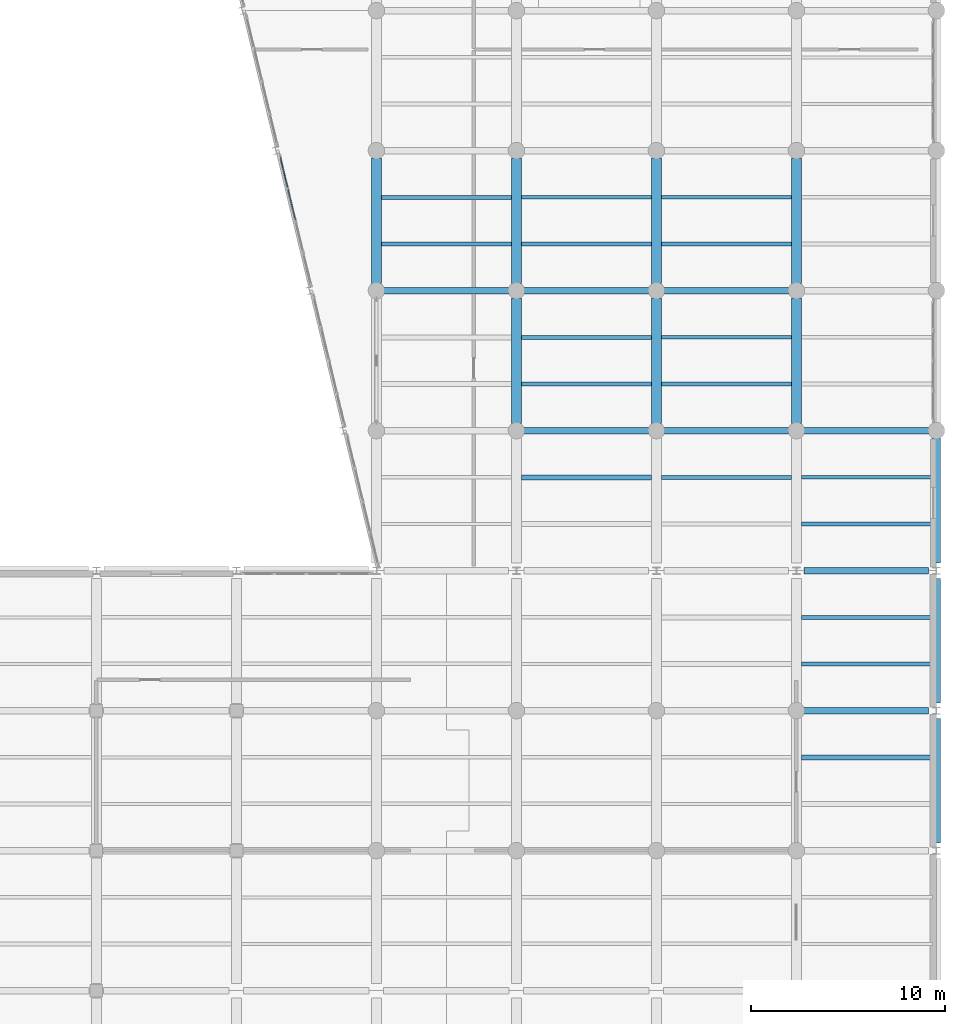
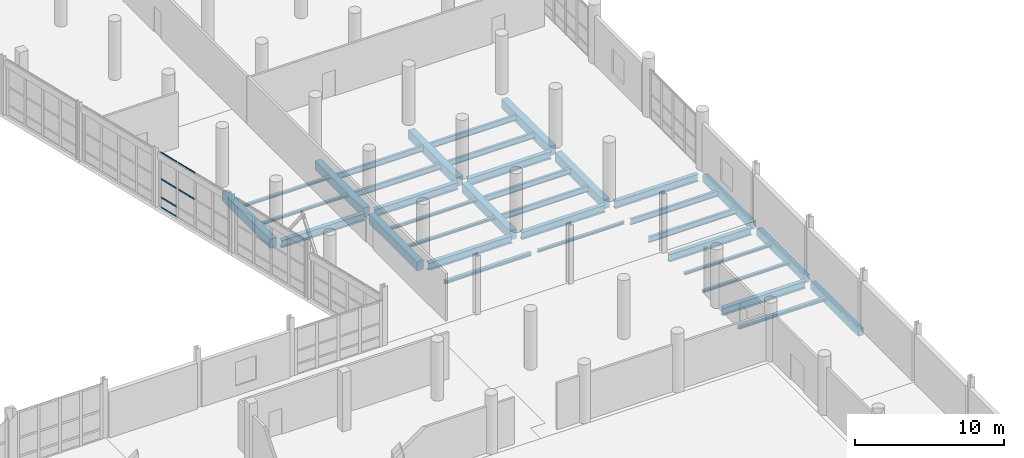
# One storey, part 65 of 127: 35 beams, 6 members, 1 element without a shape of its own.
"""IFC4 building model written with IfcOpenShell, lengths in metres."""

from ifc_helpers import new_model, si_unit, direction, frame, origin, origin_2d, place, context, subcontext, project, spatial, rectangle, hollow_rectangle, i_section, extrude, material, material_profile, profile_set, type_object, element, aggregate, save


model = new_model("IFC4")

# Units and contexts
model_context = context("Model", 3, precision=1e-05, world=origin(), true_north=direction((0.0, 1.0)))
body_context = subcontext(model_context, "Body", "Model", "MODEL_VIEW")
ifc_project = project(units=[si_unit("LENGTHUNIT", "METRE"), si_unit("AREAUNIT", "SQUARE_METRE"), si_unit("VOLUMEUNIT", "CUBIC_METRE"), si_unit("PLANEANGLEUNIT", "RADIAN"), si_unit("MASSUNIT", "GRAM", prefix="KILO")], contexts=[model_context])

# Site, building, storey
site_placement = place(None, origin())
site = spatial("IfcSite", under=ifc_project, at=site_placement, CompositionType="ELEMENT")
building_placement = place(site_placement, origin())
building = spatial("IfcBuilding", under=site, at=building_placement, Name="Kalmorath City Hall", CompositionType="ELEMENT")
storey_placement = place(building_placement, frame((0.0, 0.0, 5.39990234375)))
storey = spatial("IfcBuildingStorey", under=building, at=storey_placement, Name="L01", CompositionType="ELEMENT", Elevation=5.39990234375)

# Beams
ifc_material_1 = material(Name="Concrete C40/50", Category="concrete")
ifc_material_profile_1 = material_profile(ifc_material_1, rectangle(XDim=0.39990234375, YDim=0.60009765625, at=origin_2d()), Name="RC-BM-400X600")
ifc_profile_set_1 = profile_set([ifc_material_profile_1], Name="Concrete C40/50")
beam_type_1 = type_object("IfcBeamType", Name="Concrete edge beam 400x600", PredefinedType="SPANDREL", material=ifc_profile_set_1)
for number, where, z_axis, x_axis, name in (
    (1, (165.60009765625, 29.199951171875, -0.6240234375), (0.0, 1.0, 0.0), (-1.0, 0.0, 0.0), "L01 girder CB6 Y24/5-6"),
    (2, (165.60009765625, 36.39990234375, -0.6240234375), (0.0, 1.0, 0.0), (-1.0, 0.0, 0.0), "L01 girder CB6 Y24/6-7"),
):
    element("IfcBeam", number, at=place(storey_placement, frame(where, z_axis=z_axis, x_axis=x_axis)), inside=storey, type_object=beam_type_1, Name=name, PredefinedType="SPANDREL", context=body_context, shape_type="SweptSolid", body=[
        extrude(rectangle(XDim=0.39990234375, YDim=0.60009765625, at=origin_2d()), origin(), (0.0, 0.0, 1.0), 6.400146484375),
    ])
beam_1_placement = place(storey_placement, frame((165.60009765625, 43.60009765625, -0.6240234375), z_axis=(0.0, 1.0, 0.0), x_axis=(-1.0, 0.0, 0.0)))
element("IfcBeam", 3, at=beam_1_placement, inside=storey, type_object=beam_type_1, Name="L01 girder CB6 Y24/7-8", PredefinedType="SPANDREL", context=body_context, shape_type="SweptSolid", body=[
    extrude(rectangle(XDim=0.39990234375, YDim=0.60009765625, at=origin_2d()), origin(), (0.0, 0.0, 1.0), 6.4248046875),
])
ifc_material_2 = material(Name="Concrete C40/50", Category="concrete")
ifc_material_profile_2 = material_profile(ifc_material_2, rectangle(XDim=0.5, YDim=0.75, at=origin_2d()), Name="RC-BM-500X750")
ifc_profile_set_2 = profile_set([ifc_material_profile_2], Name="Concrete C40/50")
beam_type_2 = type_object("IfcBeamType", Name="Concrete floor beam 500x750", PredefinedType="BEAM", material=ifc_profile_set_2)
beam_2_placement = place(storey_placement, frame((136.800048828125, 57.97509765625, -0.698974609375), z_axis=(0.0, 1.0, 0.0), x_axis=(-1.0, 0.0, 0.0)))
element("IfcBeam", 4, at=beam_2_placement, inside=storey, type_object=beam_type_2, Name="L01 girder CB3 Y20/9-10", PredefinedType="BEAM", context=body_context, shape_type="SweptSolid", body=[
    extrude(rectangle(XDim=0.5, YDim=0.75, at=origin_2d()), origin(), (0.0, 0.0, 1.0), 6.449951171875),
])
beam_3_placement = place(storey_placement, frame((144.0, 50.77490234375, -0.698974609375), z_axis=(0.0, 1.0, 0.0), x_axis=(-1.0, 0.0, 0.0)))
element("IfcBeam", 5, at=beam_3_placement, inside=storey, type_object=beam_type_2, Name="L01 girder CB3 Y21/8-9", PredefinedType="BEAM", context=body_context, shape_type="SweptSolid", body=[
    extrude(rectangle(XDim=0.5, YDim=0.75, at=origin_2d()), origin(), (0.0, 0.0, 1.0), 6.4501953125),
])
beam_4_placement = place(storey_placement, frame((144.0, 57.97509765625, -0.698974609375), z_axis=(0.0, 1.0, 0.0), x_axis=(-1.0, 0.0, 0.0)))
element("IfcBeam", 6, at=beam_4_placement, inside=storey, type_object=beam_type_2, Name="L01 girder CB3 Y21/9-10", PredefinedType="BEAM", context=body_context, shape_type="SweptSolid", body=[
    extrude(rectangle(XDim=0.5, YDim=0.75, at=origin_2d()), origin(), (0.0, 0.0, 1.0), 6.449951171875),
])
beam_5_placement = place(storey_placement, frame((151.199951171875, 50.77490234375, -0.698974609375), z_axis=(0.0, 1.0, 0.0), x_axis=(-1.0, 0.0, 0.0)))
element("IfcBeam", 7, at=beam_5_placement, inside=storey, type_object=beam_type_2, Name="L01 girder CB3 Y22/8-9", PredefinedType="BEAM", context=body_context, shape_type="SweptSolid", body=[
    extrude(rectangle(XDim=0.5, YDim=0.75, at=origin_2d()), origin(), (0.0, 0.0, 1.0), 6.4501953125),
])
beam_6_placement = place(storey_placement, frame((151.199951171875, 57.97509765625, -0.698974609375), z_axis=(0.0, 1.0, 0.0), x_axis=(-1.0, 0.0, 0.0)))
element("IfcBeam", 8, at=beam_6_placement, inside=storey, type_object=beam_type_2, Name="L01 girder CB3 Y22/9-10", PredefinedType="BEAM", context=body_context, shape_type="SweptSolid", body=[
    extrude(rectangle(XDim=0.5, YDim=0.75, at=origin_2d()), origin(), (0.0, 0.0, 1.0), 6.449951171875),
])
beam_7_placement = place(storey_placement, frame((158.39990234375, 50.77490234375, -0.698974609375), z_axis=(0.0, 1.0, 0.0), x_axis=(-1.0, 0.0, 0.0)))
element("IfcBeam", 9, at=beam_7_placement, inside=storey, type_object=beam_type_2, Name="L01 girder CB3 Y23/8-9", PredefinedType="BEAM", context=body_context, shape_type="SweptSolid", body=[
    extrude(rectangle(XDim=0.5, YDim=0.75, at=origin_2d()), origin(), (0.0, 0.0, 1.0), 6.4501953125),
])
beam_8_placement = place(storey_placement, frame((158.39990234375, 57.97509765625, -0.698974609375), z_axis=(0.0, 1.0, 0.0), x_axis=(-1.0, 0.0, 0.0)))
element("IfcBeam", 10, at=beam_8_placement, inside=storey, type_object=beam_type_2, Name="L01 girder CB3 Y23/9-10", PredefinedType="BEAM", context=body_context, shape_type="SweptSolid", body=[
    extrude(rectangle(XDim=0.5, YDim=0.75, at=origin_2d()), origin(), (0.0, 0.0, 1.0), 6.449951171875),
])

# Curtain wall, members
ifc_material_3 = material(Name="Anodised aluminium and laminated glass", Category="aluminium")
curtain_wall_type = type_object("IfcCurtainWallType", Name="Unitised hurricane curtain wall 6849x4520 M1650", PredefinedType="NOTDEFINED", material=ifc_material_3)
curtain_wall_placement = place(storey_placement, origin())
curtain_wall = element("IfcCurtainWall", 11, at=curtain_wall_placement, inside=storey, type_object=curtain_wall_type, Name="L01 curtain wall CW-68X45M16 #96", PredefinedType="NOTDEFINED")
ifc_material_4 = material(Name="Anodised aluminium framing", Category="aluminium")
ifc_material_profile_3 = material_profile(ifc_material_4, hollow_rectangle(XDim=0.06005859375, YDim=0.1298828125, WallThickness=0.00341796875, InnerFilletRadius=0.00341796875, OuterFilletRadius=0.007080078125, at=origin_2d()), Name="ALU-TRN-130X60X3.5")
ifc_profile_set_3 = profile_set([ifc_material_profile_3], Name="Anodised aluminium framing")
member_type = type_object("IfcMemberType", Name="Curtain-wall courtyard transom 130x60", PredefinedType="USERDEFINED", material=ifc_profile_set_3)
member_1_placement = place(storey_placement, frame((132.63427734375, 61.236572265625, 2.35009765625), z_axis=(-0.233508300868, 0.972354808404, 0.0), x_axis=(-0.972354808404, -0.233508300868, 0.0)))
member_1 = element("IfcMember", 12, at=member_1_placement, type_object=member_type, Name="CW-68X45M16 transom 3.3", ObjectType="TRANSOM", PredefinedType="USERDEFINED", context=body_context, shape_type="SweptSolid", body=[
    extrude(hollow_rectangle(XDim=0.06005859375, YDim=0.1298828125, WallThickness=0.00341796875, InnerFilletRadius=0.00341796875, OuterFilletRadius=0.007080078125, at=origin_2d()), origin(), (0.0, 0.0, 1.0), 1.63720703125),
])
member_2_placement = place(storey_placement, frame((132.63427734375, 61.236572265625, 4.489990234375), z_axis=(-0.233508300868, 0.972354808404, 0.0), x_axis=(-0.972354808404, -0.233508300868, 0.0)))
member_2 = element("IfcMember", 13, at=member_2_placement, type_object=member_type, Name="CW-68X45M16 transom 3.4", ObjectType="TRANSOM", PredefinedType="USERDEFINED", context=body_context, shape_type="SweptSolid", body=[
    extrude(hollow_rectangle(XDim=0.06005859375, YDim=0.1298828125, WallThickness=0.00341796875, InnerFilletRadius=0.00341796875, OuterFilletRadius=0.007080078125, at=origin_2d()), origin(), (0.0, 0.0, 1.0), 1.63720703125),
])
member_3_placement = place(storey_placement, frame((132.234375, 62.9013671875, 0.030029296875), z_axis=(-0.233332550128, 0.972396997656, 0.0), x_axis=(-0.972396997656, -0.233332550128, 0.0)))
member_3 = element("IfcMember", 14, at=member_3_placement, type_object=member_type, Name="CW-68X45M16 transom 4.1", ObjectType="TRANSOM", PredefinedType="USERDEFINED", context=body_context, shape_type="SweptSolid", body=[
    extrude(hollow_rectangle(XDim=0.06005859375, YDim=0.1298828125, WallThickness=0.00341796875, InnerFilletRadius=0.00341796875, OuterFilletRadius=0.007080078125, at=origin_2d()), origin(), (0.0, 0.0, 1.0), 1.599853515625),
])
member_4_placement = place(storey_placement, frame((132.234375, 62.9013671875, 0.85009765625), z_axis=(-0.233332550128, 0.972396997656, 0.0), x_axis=(-0.972396997656, -0.233332550128, 0.0)))
member_4 = element("IfcMember", 15, at=member_4_placement, type_object=member_type, Name="CW-68X45M16 transom 4.2", ObjectType="TRANSOM", PredefinedType="USERDEFINED", context=body_context, shape_type="SweptSolid", body=[
    extrude(hollow_rectangle(XDim=0.06005859375, YDim=0.1298828125, WallThickness=0.00341796875, InnerFilletRadius=0.00341796875, OuterFilletRadius=0.007080078125, at=origin_2d()), origin(), (0.0, 0.0, 1.0), 1.599853515625),
])
member_5_placement = place(storey_placement, frame((132.234375, 62.9013671875, 2.35009765625), z_axis=(-0.233332550128, 0.972396997656, 0.0), x_axis=(-0.972396997656, -0.233332550128, 0.0)))
member_5 = element("IfcMember", 16, at=member_5_placement, type_object=member_type, Name="CW-68X45M16 transom 4.3", ObjectType="TRANSOM", PredefinedType="USERDEFINED", context=body_context, shape_type="SweptSolid", body=[
    extrude(hollow_rectangle(XDim=0.06005859375, YDim=0.1298828125, WallThickness=0.00341796875, InnerFilletRadius=0.00341796875, OuterFilletRadius=0.007080078125, at=origin_2d()), origin(), (0.0, 0.0, 1.0), 1.599853515625),
])
member_6_placement = place(storey_placement, frame((132.234375, 62.9013671875, 4.489990234375), z_axis=(-0.233332550128, 0.972396997656, 0.0), x_axis=(-0.972396997656, -0.233332550128, 0.0)))
member_6 = element("IfcMember", 17, at=member_6_placement, type_object=member_type, Name="CW-68X45M16 transom 4.4", ObjectType="TRANSOM", PredefinedType="USERDEFINED", context=body_context, shape_type="SweptSolid", body=[
    extrude(hollow_rectangle(XDim=0.06005859375, YDim=0.1298828125, WallThickness=0.00341796875, InnerFilletRadius=0.00341796875, OuterFilletRadius=0.007080078125, at=origin_2d()), origin(), (0.0, 0.0, 1.0), 1.599853515625),
])
aggregate(curtain_wall, [member_1, member_2, member_3, member_4, member_5, member_6])

# Beams
ifc_material_5 = material(Name="Steel ASTM A992 Grade 50", Category="steel")
ifc_material_profile_4 = material_profile(ifc_material_5, i_section(OverallWidth=0.19091796875, OverallDepth=0.4599609375, WebThickness=0.010009765625, FlangeThickness=0.01611328125, FilletRadius=0.013916015625, at=origin_2d()), Name="W18X55")
ifc_profile_set_4 = profile_set([ifc_material_profile_4], Name="Steel ASTM A992 Grade 50")
beam_type_3 = type_object("IfcBeamType", Name="Steel composite joist W18X55", PredefinedType="JOIST", material=ifc_profile_set_4)
for number, where, z_axis, x_axis, name in (
    (18, (151.449951171875, 60.0, -0.553955078125), (1.0, 0.0, 0.0), (0.0, 1.0, 0.0), "L01 joist SJ2 22.9.1"),
    (19, (151.449951171875, 62.39990234375, -0.553955078125), (1.0, 0.0, 0.0), (0.0, 1.0, 0.0), "L01 joist SJ2 22.9.2"),
):
    element("IfcBeam", number, at=place(storey_placement, frame(where, z_axis=z_axis, x_axis=x_axis)), inside=storey, type_object=beam_type_3, Name=name, PredefinedType="JOIST", context=body_context, shape_type="SweptSolid", body=[
        extrude(i_section(OverallWidth=0.19091796875, OverallDepth=0.4599609375, WebThickness=0.010009765625, FlangeThickness=0.01611328125, FilletRadius=0.013916015625, at=origin_2d()), origin(), (0.0, 0.0, 1.0), 6.699951171875),
    ])
ifc_material_6 = material(Name="Steel ASTM A992 Grade 50", Category="steel")
ifc_material_profile_5 = material_profile(ifc_material_6, i_section(OverallWidth=0.193115234375, OverallDepth=0.466064453125, WebThickness=0.011474609375, FlangeThickness=0.01904296875, FilletRadius=0.013916015625, at=origin_2d()), Name="W18X65")
ifc_profile_set_5 = profile_set([ifc_material_profile_5], Name="Steel ASTM A992 Grade 50")
beam_type_4 = type_object("IfcBeamType", Name="Steel composite joist W18X65", PredefinedType="JOIST", material=ifc_profile_set_5)
for number, where, z_axis, x_axis, name in (
    (20, (144.25, 60.0, -0.556884765625), (1.0, 0.0, 0.0), (0.0, 1.0, 0.0), "L01 joist SJ1 21.9.1"),
    (21, (144.25, 62.39990234375, -0.556884765625), (1.0, 0.0, 0.0), (0.0, 1.0, 0.0), "L01 joist SJ1 21.9.2"),
    (22, (151.449951171875, 52.800048828125, -0.556884765625), (1.0, 0.0, 0.0), (0.0, 1.0, 0.0), "L01 joist SJ1 22.8.1"),
    (23, (151.449951171875, 55.199951171875, -0.556884765625), (1.0, 0.0, 0.0), (0.0, 1.0, 0.0), "L01 joist SJ1 22.8.2"),
):
    element("IfcBeam", number, at=place(storey_placement, frame(where, z_axis=z_axis, x_axis=x_axis)), inside=storey, type_object=beam_type_4, Name=name, PredefinedType="JOIST", context=body_context, shape_type="SweptSolid", body=[
        extrude(i_section(OverallWidth=0.193115234375, OverallDepth=0.466064453125, WebThickness=0.011474609375, FlangeThickness=0.01904296875, FilletRadius=0.013916015625, at=origin_2d()), origin(), (0.0, 0.0, 1.0), 6.699951171875),
    ])
for number, where, z_axis, x_axis, name in (
    (24, (158.64990234375, 45.60009765625, -0.556884765625), (1.0, 0.0, 0.0), (0.0, 1.0, 0.0), "L01 joist SJ1 23.7.1"),
    (25, (158.64990234375, 48.0, -0.556884765625), (1.0, 0.0, 0.0), (0.0, 1.0, 0.0), "L01 joist SJ1 23.7.2"),
):
    element("IfcBeam", number, at=place(storey_placement, frame(where, z_axis=z_axis, x_axis=x_axis)), inside=storey, type_object=beam_type_4, Name=name, PredefinedType="JOIST", context=body_context, shape_type="SweptSolid", body=[
        extrude(i_section(OverallWidth=0.193115234375, OverallDepth=0.466064453125, WebThickness=0.011474609375, FlangeThickness=0.01904296875, FilletRadius=0.013916015625, at=origin_2d()), origin(), (0.0, 0.0, 1.0), 6.75),
    ])
ifc_material_7 = material(Name="Steel ASTM A992 Grade 50", Category="steel")
ifc_material_profile_6 = material_profile(ifc_material_7, i_section(OverallWidth=0.202880859375, OverallDepth=0.202880859375, WebThickness=0.007080078125, FlangeThickness=0.010986328125, FilletRadius=0.010986328125, at=origin_2d()), Name="W8X31")
ifc_profile_set_6 = profile_set([ifc_material_profile_6], Name="Steel ASTM A992 Grade 50")
beam_type_5 = type_object("IfcBeamType", Name="Steel edge trimmer W8X31", PredefinedType="LINTEL", material=ifc_profile_set_6)
for number, where, z_axis, x_axis, name in (
    (26, (137.050048828125, 60.0, -0.42529296875), (1.0, 0.0, 0.0), (0.0, 1.0, 0.0), "L01 joist SJ16 20.9.1"),
    (27, (137.050048828125, 62.39990234375, -0.42529296875), (1.0, 0.0, 0.0), (0.0, 1.0, 0.0), "L01 joist SJ16 20.9.2"),
    (28, (144.25, 52.800048828125, -0.42529296875), (1.0, 0.0, 0.0), (0.0, 1.0, 0.0), "L01 joist SJ16 21.8.1"),
    (29, (144.25, 55.199951171875, -0.42529296875), (1.0, 0.0, 0.0), (0.0, 1.0, 0.0), "L01 joist SJ16 21.8.2"),
    (30, (151.449951171875, 48.0, -0.42529296875), (1.0, 0.0, 0.0), (0.0, 1.0, 0.0), "L01 joist SJ16 22.7.2"),
):
    element("IfcBeam", number, at=place(storey_placement, frame(where, z_axis=z_axis, x_axis=x_axis)), inside=storey, type_object=beam_type_5, Name=name, PredefinedType="LINTEL", context=body_context, shape_type="SweptSolid", body=[
        extrude(i_section(OverallWidth=0.202880859375, OverallDepth=0.202880859375, WebThickness=0.007080078125, FlangeThickness=0.010986328125, FilletRadius=0.010986328125, at=origin_2d()), origin(), (0.0, 0.0, 1.0), 6.699951171875),
    ])
for number, where, z_axis, x_axis, name in (
    (31, (158.64990234375, 38.39990234375, -0.42529296875), (1.0, 0.0, 0.0), (0.0, 1.0, 0.0), "L01 joist SJ16 23.6.1"),
    (32, (158.64990234375, 40.800048828125, -0.42529296875), (1.0, 0.0, 0.0), (0.0, 1.0, 0.0), "L01 joist SJ16 23.6.2"),
):
    element("IfcBeam", number, at=place(storey_placement, frame(where, z_axis=z_axis, x_axis=x_axis)), inside=storey, type_object=beam_type_5, Name=name, PredefinedType="LINTEL", context=body_context, shape_type="SweptSolid", body=[
        extrude(i_section(OverallWidth=0.202880859375, OverallDepth=0.202880859375, WebThickness=0.007080078125, FlangeThickness=0.010986328125, FilletRadius=0.010986328125, at=origin_2d()), origin(), (0.0, 0.0, 1.0), 6.75),
    ])
ifc_material_8 = material(Name="Steel ASTM A992 Grade 50", Category="steel")
ifc_material_profile_7 = material_profile(ifc_material_8, i_section(OverallWidth=0.323974609375, OverallDepth=0.611083984375, WebThickness=0.0126953125, FlangeThickness=0.01904296875, FilletRadius=0.01611328125, at=origin_2d()), Name="W24X104")
ifc_profile_set_7 = profile_set([ifc_material_profile_7], Name="Steel ASTM A992 Grade 50")
beam_type_6 = type_object("IfcBeamType", Name="Steel floor girder W24X104", PredefinedType="BEAM", material=ifc_profile_set_7)
beam_9_placement = place(storey_placement, frame((158.77490234375, 36.0, -0.62939453125), z_axis=(1.0, 0.0, 0.0), x_axis=(0.0, 1.0, 0.0)))
element("IfcBeam", 33, at=beam_9_placement, inside=storey, type_object=beam_type_6, Name="L01 girder SG7 X23-24/6", PredefinedType="BEAM", context=body_context, shape_type="SweptSolid", body=[
    extrude(i_section(OverallWidth=0.323974609375, OverallDepth=0.611083984375, WebThickness=0.0126953125, FlangeThickness=0.01904296875, FilletRadius=0.01611328125, at=origin_2d()), origin(), (0.0, 0.0, 1.0), 6.425048828125),
])
beam_10_placement = place(storey_placement, frame((158.800048828125, 43.199951171875, -0.62939453125), z_axis=(1.0, 0.0, 0.0), x_axis=(0.0, 1.0, 0.0)))
element("IfcBeam", 34, at=beam_10_placement, inside=storey, type_object=beam_type_6, Name="L01 girder SG7 X23-24/7", PredefinedType="BEAM", context=body_context, shape_type="SweptSolid", body=[
    extrude(i_section(OverallWidth=0.323974609375, OverallDepth=0.611083984375, WebThickness=0.0126953125, FlangeThickness=0.01904296875, FilletRadius=0.01611328125, at=origin_2d()), origin(), (0.0, 0.0, 1.0), 6.39990234375),
])
for number, where, z_axis, x_axis, name in (
    (35, (144.375, 50.39990234375, -0.62939453125), (1.0, 0.0, 0.0), (0.0, 1.0, 0.0), "L01 girder SG7 X21-22/8"),
    (36, (151.574951171875, 50.39990234375, -0.62939453125), (1.0, 0.0, 0.0), (0.0, 1.0, 0.0), "L01 girder SG7 X22-23/8"),
):
    element("IfcBeam", number, at=place(storey_placement, frame(where, z_axis=z_axis, x_axis=x_axis)), inside=storey, type_object=beam_type_6, Name=name, PredefinedType="BEAM", context=body_context, shape_type="SweptSolid", body=[
        extrude(i_section(OverallWidth=0.323974609375, OverallDepth=0.611083984375, WebThickness=0.0126953125, FlangeThickness=0.01904296875, FilletRadius=0.01611328125, at=origin_2d()), origin(), (0.0, 0.0, 1.0), 6.449951171875),
    ])
beam_11_placement = place(storey_placement, frame((158.77490234375, 50.39990234375, -0.62939453125), z_axis=(1.0, 0.0, 0.0), x_axis=(0.0, 1.0, 0.0)))
element("IfcBeam", 37, at=beam_11_placement, inside=storey, type_object=beam_type_6, Name="L01 girder SG7 X23-24/8", PredefinedType="BEAM", context=body_context, shape_type="SweptSolid", body=[
    extrude(i_section(OverallWidth=0.323974609375, OverallDepth=0.611083984375, WebThickness=0.0126953125, FlangeThickness=0.01904296875, FilletRadius=0.01611328125, at=origin_2d()), origin(), (0.0, 0.0, 1.0), 6.4501953125),
])
for number, where, z_axis, x_axis, name in (
    (38, (137.175048828125, 57.60009765625, -0.62939453125), (1.0, 0.0, 0.0), (0.0, 1.0, 0.0), "L01 girder SG7 X20-21/9"),
    (39, (144.375, 57.60009765625, -0.62939453125), (1.0, 0.0, 0.0), (0.0, 1.0, 0.0), "L01 girder SG7 X21-22/9"),
    (40, (151.574951171875, 57.60009765625, -0.62939453125), (1.0, 0.0, 0.0), (0.0, 1.0, 0.0), "L01 girder SG7 X22-23/9"),
):
    element("IfcBeam", number, at=place(storey_placement, frame(where, z_axis=z_axis, x_axis=x_axis)), inside=storey, type_object=beam_type_6, Name=name, PredefinedType="BEAM", context=body_context, shape_type="SweptSolid", body=[
        extrude(i_section(OverallWidth=0.323974609375, OverallDepth=0.611083984375, WebThickness=0.0126953125, FlangeThickness=0.01904296875, FilletRadius=0.01611328125, at=origin_2d()), origin(), (0.0, 0.0, 1.0), 6.449951171875),
    ])
ifc_material_9 = material(Name="Steel ASTM A992 Grade 50", Category="steel")
ifc_material_profile_8 = material_profile(ifc_material_9, i_section(OverallWidth=0.25390625, OverallDepth=0.2529296875, WebThickness=0.008544921875, FlangeThickness=0.01416015625, FilletRadius=0.011962890625, at=origin_2d()), Name="W10X49")
ifc_profile_set_8 = profile_set([ifc_material_profile_8], Name="Steel ASTM A992 Grade 50")
beam_type_7 = type_object("IfcBeamType", Name="Steel trimmer beam W10X49", PredefinedType="BEAM", material=ifc_profile_set_8)
beam_12_placement = place(storey_placement, frame((144.25, 48.0, -0.450439453125), z_axis=(1.0, 0.0, 0.0), x_axis=(0.0, 1.0, 0.0)))
element("IfcBeam", 41, at=beam_12_placement, inside=storey, type_object=beam_type_7, Name="L01 joist SJ14 21.7.2", PredefinedType="BEAM", context=body_context, shape_type="SweptSolid", body=[
    extrude(i_section(OverallWidth=0.25390625, OverallDepth=0.2529296875, WebThickness=0.008544921875, FlangeThickness=0.01416015625, FilletRadius=0.011962890625, at=origin_2d()), origin(), (0.0, 0.0, 1.0), 6.699951171875),
])
beam_13_placement = place(storey_placement, frame((158.64990234375, 33.60009765625, -0.450439453125), z_axis=(1.0, 0.0, 0.0), x_axis=(0.0, 1.0, 0.0)))
element("IfcBeam", 42, at=beam_13_placement, inside=storey, type_object=beam_type_7, Name="L01 joist SJ14 23.5.2", PredefinedType="BEAM", context=body_context, shape_type="SweptSolid", body=[
    extrude(i_section(OverallWidth=0.25390625, OverallDepth=0.2529296875, WebThickness=0.008544921875, FlangeThickness=0.01416015625, FilletRadius=0.011962890625, at=origin_2d()), origin(), (0.0, 0.0, 1.0), 6.75),
])

save(model, "model.ifc")
